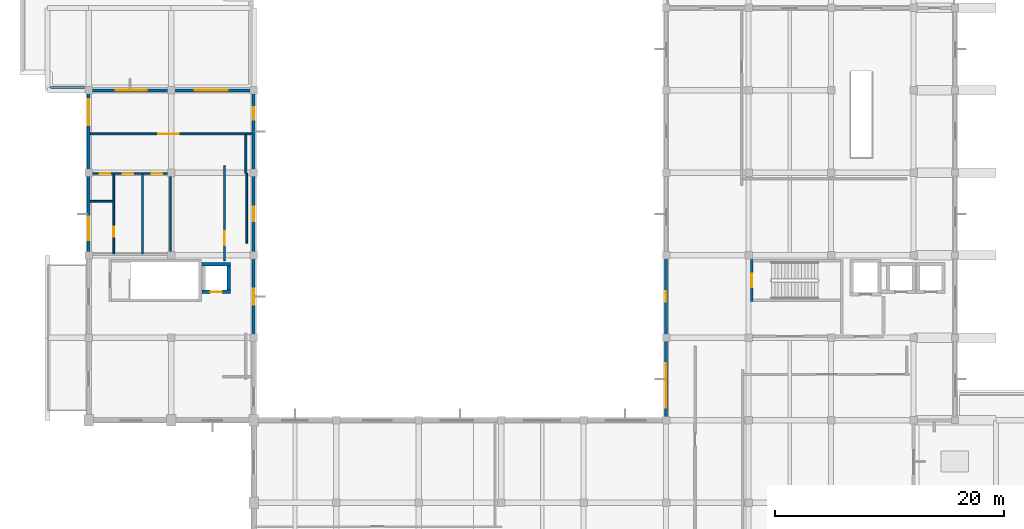
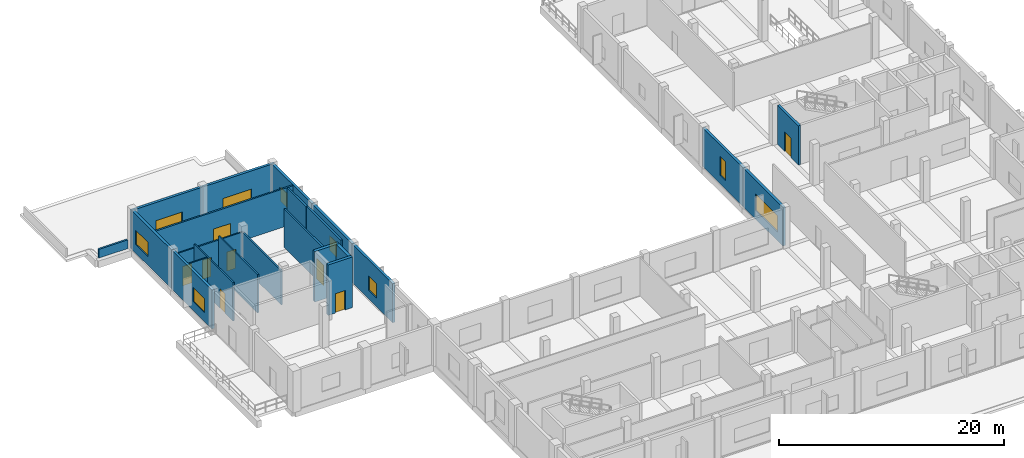
# One storey, part 6 of 16: 23 walls, 9 windows, 8 doors, 17 openings.
"""IFC4 building model written with IfcOpenShell, lengths in metres."""

from ifc_helpers import new_model, si_unit, direction, frame, frame_2d, origin, place, context, subcontext, project, spatial, rectangle, extrude, material, layer, layer_set, type_object, element, fill, save


model = new_model("IFC4")

# Units and contexts
model_context = context("Model", 3, precision=1e-05, world=origin(), true_north=direction((0.0, 1.0)))
body_context = subcontext(model_context, "Body", "Model", "MODEL_VIEW")
ifc_project = project(units=[si_unit("LENGTHUNIT", "METRE"), si_unit("AREAUNIT", "SQUARE_METRE"), si_unit("VOLUMEUNIT", "CUBIC_METRE"), si_unit("PLANEANGLEUNIT", "RADIAN"), si_unit("MASSUNIT", "GRAM", prefix="KILO")], contexts=[model_context])

# Site, building, storey
site_placement = place(None, origin())
site = spatial("IfcSite", under=ifc_project, at=site_placement, CompositionType="ELEMENT")
building_placement = place(site_placement, origin())
building = spatial("IfcBuilding", under=site, at=building_placement, Name="Seraya Terrace Polytechnic", CompositionType="ELEMENT")
storey_placement = place(building_placement, frame((0.0, 0.0, 23.39990234375)))
storey = spatial("IfcBuildingStorey", under=building, at=storey_placement, Name="L05", CompositionType="ELEMENT", Elevation=23.39990234375)

# Wall, opening, window
ifc_material_1 = material(Name="Precast concrete C40/50", Category="concrete")
ifc_layer_1 = layer(ifc_material_1, 0.260009765625, Name="EW-03")
ifc_layer_set_1 = layer_set([ifc_layer_1], Name="Precast concrete C40/50")
wall_type_1 = type_object("IfcWallType", Name="EW-03", PredefinedType="SOLIDWALL", material=ifc_layer_set_1)
wall_1_placement = place(storey_placement, frame((79.199951171875, 28.951904296875, 0.0), z_axis=(0.0, 0.0, 1.0), x_axis=(0.0, 1.0, 0.0)))
wall_1 = element("IfcWall", 1, at=wall_1_placement, inside=storey, type_object=wall_type_1, Name="Exterior structural wall EW-03 L05", PredefinedType="SOLIDWALL", context=body_context, shape_type="SweptSolid", body=[
    extrude(rectangle(XDim=7.048095703125, YDim=0.260009765625, at=frame_2d((3.52392578125, 0.0))), origin(), (0.0, 0.0, 1.0), 4.22021484375),
])
opening_1_placement = place(wall_1_placement, frame((0.958984375, 0.0, 0.949951171875)))
opening_1 = element("IfcOpeningElement", 2, at=opening_1_placement, cuts=wall_1, Name="Opening WN-36", PredefinedType="OPENING", context=body_context, shape_type="SweptSolid", body=[
    extrude(rectangle(XDim=3.85009765625, YDim=1.800048828125, at=frame_2d((1.925048828125, 0.89990234375))), frame((0.0, 0.14208984375, 0.0), z_axis=(0.0, -1.0, 0.0), x_axis=(1.0, 0.0, 0.0)), (0.0, 0.0, 1.0), 0.283935546875),
])
ifc_material_2 = material(Name="Laminated solar-control Low-E double glazing", Category="glass")
window_type_1 = type_object("IfcWindowType", Name="WN-36", PartitioningType="SINGLE_PANEL", PredefinedType="WINDOW", material=ifc_material_2)
window_1_placement = place(opening_1_placement, origin())
window_1 = element("IfcWindow", 3, at=window_1_placement, inside=storey, type_object=window_type_1, Name="Exterior window WN-36 L05", OverallHeight=1.800048828125, OverallWidth=3.85009765625, PartitioningType="SINGLE_PANEL", PredefinedType="WINDOW", context=body_context, shape_type="SweptSolid", body=[
    extrude(rectangle(XDim=3.85009765625, YDim=1.800048828125, at=frame_2d((1.925048828125, 0.89990234375))), frame((0.0, 0.030029296875, 0.0), z_axis=(0.0, -1.0, 0.0), x_axis=(1.0, 0.0, 0.0)), (0.0, 0.0, 1.0), 0.06005859375),
])
fill(opening_1, window_1)

wall_2_placement = place(storey_placement, frame((79.199951171875, 36.0, 0.0), z_axis=(0.0, 0.0, 1.0), x_axis=(0.0, 1.0, 0.0)))
wall_2 = element("IfcWall", 4, at=wall_2_placement, inside=storey, type_object=wall_type_1, Name="Exterior structural wall EW-03 L05", PredefinedType="SOLIDWALL", context=body_context, shape_type="SweptSolid", body=[
    extrude(rectangle(XDim=7.199951171875, YDim=0.260009765625, at=frame_2d((3.60009765625, 0.0))), origin(), (0.0, 0.0, 1.0), 4.22021484375),
])
opening_2_placement = place(wall_2_placement, frame((3.125, 0.0, 0.949951171875)))
opening_2 = element("IfcOpeningElement", 5, at=opening_2_placement, cuts=wall_2, Name="Opening WN-37", PredefinedType="OPENING", context=body_context, shape_type="SweptSolid", body=[
    extrude(rectangle(XDim=0.949951171875, YDim=2.050048828125, at=frame_2d((0.47509765625, 1.02490234375))), frame((0.0, 0.14208984375, 0.0), z_axis=(0.0, -1.0, 0.0), x_axis=(1.0, 0.0, 0.0)), (0.0, 0.0, 1.0), 0.283935546875),
])
window_type_2 = type_object("IfcWindowType", Name="WN-37", PartitioningType="SINGLE_PANEL", PredefinedType="WINDOW", material=ifc_material_2)
window_2_placement = place(opening_2_placement, origin())
window_2 = element("IfcWindow", 6, at=window_2_placement, inside=storey, type_object=window_type_2, Name="Exterior window WN-37 L05", OverallHeight=2.050048828125, OverallWidth=0.949951171875, PartitioningType="SINGLE_PANEL", PredefinedType="WINDOW", context=body_context, shape_type="SweptSolid", body=[
    extrude(rectangle(XDim=0.949951171875, YDim=2.050048828125, at=frame_2d((0.47509765625, 1.02490234375))), frame((0.0, 0.030029296875, 0.0), z_axis=(0.0, -1.0, 0.0), x_axis=(1.0, 0.0, 0.0)), (0.0, 0.0, 1.0), 0.06005859375),
])
fill(opening_2, window_2)

wall_3_placement = place(storey_placement, frame((28.64990234375, 57.60009765625, 0.0), z_axis=(0.0, 0.0, 1.0), x_axis=(1.0, 0.0, 0.0)))
wall_3 = element("IfcWall", 7, at=wall_3_placement, inside=storey, type_object=wall_type_1, Name="Exterior structural wall EW-03 L05", PredefinedType="SOLIDWALL", context=body_context, shape_type="SweptSolid", body=[
    extrude(rectangle(XDim=7.35009765625, YDim=0.260009765625, at=frame_2d((3.675048828125, 0.0))), origin(), (0.0, 0.0, 1.0), 4.22021484375),
])
opening_3_placement = place(wall_3_placement, frame((2.5, 0.0, 0.949951171875)))
opening_3 = element("IfcOpeningElement", 8, at=opening_3_placement, cuts=wall_3, Name="Opening WN-11", PredefinedType="OPENING", context=body_context, shape_type="SweptSolid", body=[
    extrude(rectangle(XDim=2.699951171875, YDim=1.300048828125, at=frame_2d((1.35009765625, 0.64990234375))), frame((0.0, 0.14208984375, 0.0), z_axis=(0.0, -1.0, 0.0), x_axis=(1.0, 0.0, 0.0)), (0.0, 0.0, 1.0), 0.283935546875),
])
window_type_3 = type_object("IfcWindowType", Name="WN-11", PartitioningType="SINGLE_PANEL", PredefinedType="WINDOW", material=ifc_material_2)
window_3_placement = place(opening_3_placement, origin())
window_3 = element("IfcWindow", 9, at=window_3_placement, inside=storey, type_object=window_type_3, Name="Exterior window WN-11 L05", OverallHeight=1.300048828125, OverallWidth=2.699951171875, PartitioningType="SINGLE_PANEL", PredefinedType="WINDOW", context=body_context, shape_type="SweptSolid", body=[
    extrude(rectangle(XDim=2.699951171875, YDim=1.300048828125, at=frame_2d((1.35009765625, 0.64990234375))), frame((0.0, 0.030029296875, 0.0), z_axis=(0.0, -1.0, 0.0), x_axis=(1.0, 0.0, 0.0)), (0.0, 0.0, 1.0), 0.06005859375),
])
fill(opening_3, window_3)

wall_4_placement = place(storey_placement, frame((36.0, 57.60009765625, 0.0), z_axis=(0.0, 0.0, 1.0), x_axis=(1.0, 0.0, 0.0)))
wall_4 = element("IfcWall", 10, at=wall_4_placement, inside=storey, type_object=wall_type_1, Name="Exterior structural wall EW-03 L05", PredefinedType="SOLIDWALL", context=body_context, shape_type="SweptSolid", body=[
    extrude(rectangle(XDim=7.35009765625, YDim=0.260009765625, at=frame_2d((3.675048828125, 0.0))), origin(), (0.0, 0.0, 1.0), 4.22021484375),
])
opening_4_placement = place(wall_4_placement, frame((2.050048828125, 0.0, 0.949951171875)))
opening_4 = element("IfcOpeningElement", 11, at=opening_4_placement, cuts=wall_4, Name="Opening WN-12", PredefinedType="OPENING", context=body_context, shape_type="SweptSolid", body=[
    extrude(rectangle(XDim=2.89990234375, YDim=1.300048828125, at=frame_2d((1.449951171875, 0.64990234375))), frame((0.0, 0.14208984375, 0.0), z_axis=(0.0, -1.0, 0.0), x_axis=(1.0, 0.0, 0.0)), (0.0, 0.0, 1.0), 0.283935546875),
])
window_type_4 = type_object("IfcWindowType", Name="WN-12", PartitioningType="SINGLE_PANEL", PredefinedType="WINDOW", material=ifc_material_2)
window_4_placement = place(opening_4_placement, origin())
window_4 = element("IfcWindow", 12, at=window_4_placement, inside=storey, type_object=window_type_4, Name="Exterior window WN-12 L05", OverallHeight=1.300048828125, OverallWidth=2.89990234375, PartitioningType="SINGLE_PANEL", PredefinedType="WINDOW", context=body_context, shape_type="SweptSolid", body=[
    extrude(rectangle(XDim=2.89990234375, YDim=1.300048828125, at=frame_2d((1.449951171875, 0.64990234375))), frame((0.0, 0.030029296875, 0.0), z_axis=(0.0, -1.0, 0.0), x_axis=(1.0, 0.0, 0.0)), (0.0, 0.0, 1.0), 0.06005859375),
])
fill(opening_4, window_4)

wall_5_placement = place(storey_placement, frame((43.199951171875, 57.447998046875, 0.0), z_axis=(0.0, 0.0, 1.0), x_axis=(0.0, -1.0, 0.0)))
wall_5 = element("IfcWall", 13, at=wall_5_placement, inside=storey, type_object=wall_type_1, Name="Exterior structural wall EW-03 L05", PredefinedType="SOLIDWALL", context=body_context, shape_type="SweptSolid", body=[
    extrude(rectangle(XDim=7.048095703125, YDim=0.260009765625, at=frame_2d((3.52392578125, 0.0))), origin(), (0.0, 0.0, 1.0), 4.22021484375),
])
opening_5_placement = place(wall_5_placement, frame((1.31396484375, 0.0, 0.949951171875)))
opening_5 = element("IfcOpeningElement", 14, at=opening_5_placement, cuts=wall_5, Name="Opening WN-13", PredefinedType="OPENING", context=body_context, shape_type="SweptSolid", body=[
    extrude(rectangle(XDim=1.10009765625, YDim=1.550048828125, at=frame_2d((0.550048828125, 0.77490234375))), frame((0.0, 0.14208984375, 0.0), z_axis=(0.0, -1.0, 0.0), x_axis=(1.0, 0.0, 0.0)), (0.0, 0.0, 1.0), 0.283935546875),
])
window_type_5 = type_object("IfcWindowType", Name="WN-13", PartitioningType="SINGLE_PANEL", PredefinedType="WINDOW", material=ifc_material_2)
window_5_placement = place(opening_5_placement, origin())
window_5 = element("IfcWindow", 15, at=window_5_placement, inside=storey, type_object=window_type_5, Name="Exterior window WN-13 L05", OverallHeight=1.550048828125, OverallWidth=1.10009765625, PartitioningType="SINGLE_PANEL", PredefinedType="WINDOW", context=body_context, shape_type="SweptSolid", body=[
    extrude(rectangle(XDim=1.10009765625, YDim=1.550048828125, at=frame_2d((0.550048828125, 0.77490234375))), frame((0.0, 0.030029296875, 0.0), z_axis=(0.0, -1.0, 0.0), x_axis=(1.0, 0.0, 0.0)), (0.0, 0.0, 1.0), 0.06005859375),
])
fill(opening_5, window_5)

wall_6_placement = place(storey_placement, frame((43.199951171875, 50.39990234375, 0.0), z_axis=(0.0, 0.0, 1.0), x_axis=(0.0, -1.0, 0.0)))
wall_6 = element("IfcWall", 16, at=wall_6_placement, inside=storey, type_object=wall_type_1, Name="Exterior structural wall EW-03 L05", PredefinedType="SOLIDWALL", context=body_context, shape_type="SweptSolid", body=[
    extrude(rectangle(XDim=7.199951171875, YDim=0.260009765625, at=frame_2d((3.60009765625, 0.0))), origin(), (0.0, 0.0, 1.0), 4.22021484375),
])
opening_6_placement = place(wall_6_placement, frame((2.97509765625, 0.0, 0.949951171875)))
opening_6 = element("IfcOpeningElement", 17, at=opening_6_placement, cuts=wall_6, Name="Opening WN-14", PredefinedType="OPENING", context=body_context, shape_type="SweptSolid", body=[
    extrude(rectangle(XDim=1.25, YDim=1.550048828125, at=frame_2d((0.625, 0.77490234375))), frame((0.0, 0.14208984375, 0.0), z_axis=(0.0, -1.0, 0.0), x_axis=(1.0, 0.0, 0.0)), (0.0, 0.0, 1.0), 0.283935546875),
])
window_type_6 = type_object("IfcWindowType", Name="WN-14", PartitioningType="SINGLE_PANEL", PredefinedType="WINDOW", material=ifc_material_2)
window_6_placement = place(opening_6_placement, origin())
window_6 = element("IfcWindow", 18, at=window_6_placement, inside=storey, type_object=window_type_6, Name="Exterior window WN-14 L05", OverallHeight=1.550048828125, OverallWidth=1.25, PartitioningType="SINGLE_PANEL", PredefinedType="WINDOW", context=body_context, shape_type="SweptSolid", body=[
    extrude(rectangle(XDim=1.25, YDim=1.550048828125, at=frame_2d((0.625, 0.77490234375))), frame((0.0, 0.030029296875, 0.0), z_axis=(0.0, -1.0, 0.0), x_axis=(1.0, 0.0, 0.0)), (0.0, 0.0, 1.0), 0.06005859375),
])
fill(opening_6, window_6)

wall_7_placement = place(storey_placement, frame((43.199951171875, 43.199951171875, 0.0), z_axis=(0.0, 0.0, 1.0), x_axis=(0.0, -1.0, 0.0)))
wall_7 = element("IfcWall", 19, at=wall_7_placement, inside=storey, type_object=wall_type_1, Name="Exterior structural wall EW-03 L05", PredefinedType="SOLIDWALL", context=body_context, shape_type="SweptSolid", body=[
    extrude(rectangle(XDim=7.199951171875, YDim=0.260009765625, at=frame_2d((3.60009765625, 0.0))), origin(), (0.0, 0.0, 1.0), 4.22021484375),
])
opening_7_placement = place(wall_7_placement, frame((2.89990234375, 0.0, 0.949951171875)))
opening_7 = element("IfcOpeningElement", 20, at=opening_7_placement, cuts=wall_7, Name="Opening WN-15", PredefinedType="OPENING", context=body_context, shape_type="SweptSolid", body=[
    extrude(rectangle(XDim=1.39990234375, YDim=1.550048828125, at=frame_2d((0.699951171875, 0.77490234375))), frame((0.0, 0.14208984375, 0.0), z_axis=(0.0, -1.0, 0.0), x_axis=(1.0, 0.0, 0.0)), (0.0, 0.0, 1.0), 0.283935546875),
])
window_type_7 = type_object("IfcWindowType", Name="WN-15", PartitioningType="SINGLE_PANEL", PredefinedType="WINDOW", material=ifc_material_2)
window_7_placement = place(opening_7_placement, origin())
window_7 = element("IfcWindow", 21, at=window_7_placement, inside=storey, type_object=window_type_7, Name="Exterior window WN-15 L05", OverallHeight=1.550048828125, OverallWidth=1.39990234375, PartitioningType="SINGLE_PANEL", PredefinedType="WINDOW", context=body_context, shape_type="SweptSolid", body=[
    extrude(rectangle(XDim=1.39990234375, YDim=1.550048828125, at=frame_2d((0.699951171875, 0.77490234375))), frame((0.0, 0.030029296875, 0.0), z_axis=(0.0, -1.0, 0.0), x_axis=(1.0, 0.0, 0.0)), (0.0, 0.0, 1.0), 0.06005859375),
])
fill(opening_7, window_7)

wall_8_placement = place(storey_placement, frame((28.800048828125, 43.199951171875, 0.0), z_axis=(0.0, 0.0, 1.0), x_axis=(0.0, 1.0, 0.0)))
wall_8 = element("IfcWall", 22, at=wall_8_placement, inside=storey, type_object=wall_type_1, Name="Exterior structural wall EW-03 L05", PredefinedType="SOLIDWALL", context=body_context, shape_type="SweptSolid", body=[
    extrude(rectangle(XDim=7.199951171875, YDim=0.260009765625, at=frame_2d((3.60009765625, 0.0))), origin(), (0.0, 0.0, 1.0), 4.22021484375),
])
opening_8_placement = place(wall_8_placement, frame((1.31005859375, 0.0, 0.949951171875)))
opening_8 = element("IfcOpeningElement", 23, at=opening_8_placement, cuts=wall_8, Name="Opening WN-19", PredefinedType="OPENING", context=body_context, shape_type="SweptSolid", body=[
    extrude(rectangle(XDim=2.050048828125, YDim=1.550048828125, at=frame_2d((1.02490234375, 0.77490234375))), frame((0.0, 0.14208984375, 0.0), z_axis=(0.0, -1.0, 0.0), x_axis=(1.0, 0.0, 0.0)), (0.0, 0.0, 1.0), 0.283935546875),
])
window_type_8 = type_object("IfcWindowType", Name="WN-19", PartitioningType="SINGLE_PANEL", PredefinedType="WINDOW", material=ifc_material_2)
window_8_placement = place(opening_8_placement, origin())
window_8 = element("IfcWindow", 24, at=window_8_placement, inside=storey, type_object=window_type_8, Name="Exterior window WN-19 L05", OverallHeight=1.550048828125, OverallWidth=2.050048828125, PartitioningType="SINGLE_PANEL", PredefinedType="WINDOW", context=body_context, shape_type="SweptSolid", body=[
    extrude(rectangle(XDim=2.050048828125, YDim=1.550048828125, at=frame_2d((1.02490234375, 0.77490234375))), frame((0.0, 0.030029296875, 0.0), z_axis=(0.0, -1.0, 0.0), x_axis=(1.0, 0.0, 0.0)), (0.0, 0.0, 1.0), 0.06005859375),
])
fill(opening_8, window_8)

wall_9_placement = place(storey_placement, frame((28.800048828125, 50.39990234375, 0.0), z_axis=(0.0, 0.0, 1.0), x_axis=(0.0, 1.0, 0.0)))
wall_9 = element("IfcWall", 25, at=wall_9_placement, inside=storey, type_object=wall_type_1, Name="Exterior structural wall EW-03 L05", PredefinedType="SOLIDWALL", context=body_context, shape_type="SweptSolid", body=[
    extrude(rectangle(XDim=7.048095703125, YDim=0.260009765625, at=frame_2d((3.52392578125, 0.0))), origin(), (0.0, 0.0, 1.0), 4.22021484375),
])
opening_9_placement = place(wall_9_placement, frame((4.1572265625, 0.0, 0.949951171875)))
opening_9 = element("IfcOpeningElement", 26, at=opening_9_placement, cuts=wall_9, Name="Opening WN-20", PredefinedType="OPENING", context=body_context, shape_type="SweptSolid", body=[
    extrude(rectangle(XDim=2.25, YDim=1.550048828125, at=frame_2d((1.125, 0.77490234375))), frame((0.0, 0.14208984375, 0.0), z_axis=(0.0, -1.0, 0.0), x_axis=(1.0, 0.0, 0.0)), (0.0, 0.0, 1.0), 0.283935546875),
])
window_type_9 = type_object("IfcWindowType", Name="WN-20", PartitioningType="SINGLE_PANEL", PredefinedType="WINDOW", material=ifc_material_2)
window_9_placement = place(opening_9_placement, origin())
window_9 = element("IfcWindow", 27, at=window_9_placement, inside=storey, type_object=window_type_9, Name="Exterior window WN-20 L05", OverallHeight=1.550048828125, OverallWidth=2.25, PartitioningType="SINGLE_PANEL", PredefinedType="WINDOW", context=body_context, shape_type="SweptSolid", body=[
    extrude(rectangle(XDim=2.25, YDim=1.550048828125, at=frame_2d((1.125, 0.77490234375))), frame((0.0, 0.030029296875, 0.0), z_axis=(0.0, -1.0, 0.0), x_axis=(1.0, 0.0, 0.0)), (0.0, 0.0, 1.0), 0.06005859375),
])
fill(opening_9, window_9)

# Wall, opening, door
ifc_material_3 = material(Name="Autoclaved aerated concrete blockwork", Category="masonry")
ifc_layer_2 = layer(ifc_material_3, 0.169921875, Name="PT-02")
ifc_layer_set_2 = layer_set([ifc_layer_2], Name="Autoclaved aerated concrete blockwork")
wall_type_2 = type_object("IfcWallType", Name="PT-02", PredefinedType="PARTITIONING", material=ifc_layer_set_2)
wall_10_placement = place(storey_placement, frame((28.94189453125, 53.800048828125, 0.0), z_axis=(0.0, 0.0, 1.0), x_axis=(1.0, 0.0, 0.0)))
wall_10 = element("IfcWall", 28, at=wall_10_placement, inside=storey, type_object=wall_type_2, Name="Internal partition PT-02 L05", PredefinedType="PARTITIONING", context=body_context, shape_type="SweptSolid", body=[
    extrude(rectangle(XDim=14.1162109375, YDim=0.169921875, at=frame_2d((7.05810546875, 0.0))), origin(), (0.0, 0.0, 1.0), 4.16015625),
])
opening_10_placement = place(wall_10_placement, frame((5.945068359375, 0.0, 0.0)))
opening_10 = element("IfcOpeningElement", 29, at=opening_10_placement, cuts=wall_10, Name="Opening ID-14", PredefinedType="OPENING", context=body_context, shape_type="SweptSolid", body=[
    extrude(rectangle(XDim=1.760009765625, YDim=2.300048828125, at=frame_2d((0.8798828125, 1.14990234375))), frame((0.0, 0.096923828125, 0.0), z_axis=(0.0, -1.0, 0.0), x_axis=(1.0, 0.0, 0.0)), (0.0, 0.0, 1.0), 0.19384765625),
])
ifc_material_4 = material(Name="Malaysian dark red meranti hardwood timber D40", Category="wood")
door_type_1 = type_object("IfcDoorType", Name="ID-14", OperationType="DOUBLE_DOOR_SINGLE_SWING", PredefinedType="DOOR", material=ifc_material_4)
door_1_placement = place(opening_10_placement, frame((1.760009765625, 0.0, 0.0), z_axis=(0.0, 0.0, 1.0), x_axis=(-1.0, 0.0, 0.0)))
door_1 = element("IfcDoor", 30, at=door_1_placement, inside=storey, type_object=door_type_1, Name="Door ID-14 DR-INT-L05-0251 in WL-INT-L05-0731", OperationType="DOUBLE_DOOR_SINGLE_SWING", OverallHeight=2.300048828125, OverallWidth=1.760009765625, PredefinedType="DOOR", context=body_context, shape_type="SweptSolid", body=[
    extrude(rectangle(XDim=1.760009765625, YDim=2.300048828125, at=frame_2d((0.8798828125, 1.14990234375))), frame((0.0, 0.02490234375, 0.0), z_axis=(0.0, -1.0, 0.0), x_axis=(1.0, 0.0, 0.0)), (0.0, 0.0, 1.0), 0.050048828125),
])
fill(opening_10, door_1)

# Walls
wall_11_placement = place(storey_placement, frame((42.52001953125, 50.360107421875, 0.0), z_axis=(0.0, 0.0, 1.0), x_axis=(0.0, 1.0, 0.0)))
element("IfcWall", 31, at=wall_11_placement, inside=storey, type_object=wall_type_2, Name="Internal partition PT-02 L05", PredefinedType="PARTITIONING", context=body_context, shape_type="SweptSolid", body=[
    extrude(rectangle(XDim=3.33984375, YDim=0.169921875, at=frame_2d((1.669921875, 0.0))), origin(), (0.0, 0.0, 1.0), 4.16015625),
])
wall_12_placement = place(storey_placement, frame((42.590087890625, 44.260009765625, 0.0), z_axis=(0.0, 0.0, 1.0), x_axis=(0.0, 1.0, 0.0)))
element("IfcWall", 32, at=wall_12_placement, inside=storey, type_object=wall_type_2, Name="Internal partition PT-02 L05", PredefinedType="PARTITIONING", context=body_context, shape_type="SweptSolid", body=[
    extrude(rectangle(XDim=6.10009765625, YDim=0.169921875, at=frame_2d((3.050048828125, 0.0))), origin(), (0.0, 0.0, 1.0), 4.16015625),
])

# Wall, opening, door
wall_13_placement = place(storey_placement, frame((40.64990234375, 42.72998046875, 0.0), z_axis=(0.0, 0.0, 1.0), x_axis=(0.0, 1.0, 0.0)))
wall_13 = element("IfcWall", 33, at=wall_13_placement, inside=storey, type_object=wall_type_2, Name="Internal partition PT-02 L05", PredefinedType="PARTITIONING", context=body_context, shape_type="SweptSolid", body=[
    extrude(rectangle(XDim=8.281982421875, YDim=0.169921875, at=frame_2d((4.14111328125, 0.0))), origin(), (0.0, 0.0, 1.0), 4.16015625),
])
opening_11_placement = place(wall_13_placement, frame((1.3310546875, 0.0, 0.0)))
opening_11 = element("IfcOpeningElement", 34, at=opening_11_placement, cuts=wall_13, Name="Opening ID-07", PredefinedType="OPENING", context=body_context, shape_type="SweptSolid", body=[
    extrude(rectangle(XDim=1.219970703125, YDim=2.219970703125, at=frame_2d((0.60986328125, 1.10986328125))), frame((0.0, 0.096923828125, 0.0), z_axis=(0.0, -1.0, 0.0), x_axis=(1.0, 0.0, 0.0)), (0.0, 0.0, 1.0), 0.19384765625),
])
door_type_2 = type_object("IfcDoorType", Name="ID-07", OperationType="NOTDEFINED", PredefinedType="DOOR", material=ifc_material_4)
door_2_placement = place(opening_11_placement, origin())
door_2 = element("IfcDoor", 35, at=door_2_placement, inside=storey, type_object=door_type_2, Name="Door ID-07 DR-INT-L05-0260 in WL-INT-L05-0737", OperationType="SINGLE_SWING_LEFT", OverallHeight=2.219970703125, OverallWidth=1.219970703125, PredefinedType="DOOR", context=body_context, shape_type="SweptSolid", body=[
    extrude(rectangle(XDim=1.219970703125, YDim=2.219970703125, at=frame_2d((0.60986328125, 1.10986328125))), frame((0.0, 0.02490234375, 0.0), z_axis=(0.0, -1.0, 0.0), x_axis=(1.0, 0.0, 0.0)), (0.0, 0.0, 1.0), 0.050048828125),
])
fill(opening_11, door_2)

# Wall, openings, doors
ifc_layer_3 = layer(ifc_material_3, 0.139892578125, Name="PT-04")
ifc_layer_set_3 = layer_set([ifc_layer_3], Name="Autoclaved aerated concrete blockwork")
wall_type_3 = type_object("IfcWallType", Name="PT-04", PredefinedType="PARTITIONING", material=ifc_layer_set_3)
wall_14_placement = place(storey_placement, frame((29.0, 50.330078125, 0.0), z_axis=(0.0, 0.0, 1.0), x_axis=(1.0, 0.0, 0.0)))
wall_14 = element("IfcWall", 36, at=wall_14_placement, inside=storey, type_object=wall_type_3, Name="Sanitary WC-B North wall L05", PredefinedType="PARTITIONING", context=body_context, shape_type="SweptSolid", body=[
    extrude(rectangle(XDim=6.929931640625, YDim=0.139892578125, at=frame_2d((3.46484375, 0.0))), origin(), (0.0, 0.0, 1.0), 3.72998046875),
])
opening_12_placement = place(wall_14_placement, frame((0.75, 0.0, 0.0)))
opening_12 = element("IfcOpeningElement", 37, at=opening_12_placement, cuts=wall_14, Name="Opening ID-01", PredefinedType="OPENING", context=body_context, shape_type="SweptSolid", body=[
    extrude(rectangle(XDim=0.93994140625, YDim=2.10009765625, at=frame_2d((0.469970703125, 1.050048828125))), frame((0.0, 0.08203125, 0.0), z_axis=(0.0, -1.0, 0.0), x_axis=(1.0, 0.0, 0.0)), (0.0, 0.0, 1.0), 0.163818359375),
])
opening_13_placement = place(wall_14_placement, frame((2.784912109375, 0.0, 0.0)))
opening_13 = element("IfcOpeningElement", 38, at=opening_13_placement, cuts=wall_14, Name="Opening ID-02", PredefinedType="OPENING", context=body_context, shape_type="SweptSolid", body=[
    extrude(rectangle(XDim=0.89990234375, YDim=2.080078125, at=frame_2d((0.449951171875, 1.0400390625))), frame((0.0, 0.08203125, 0.0), z_axis=(0.0, -1.0, 0.0), x_axis=(1.0, 0.0, 0.0)), (0.0, 0.0, 1.0), 0.163818359375),
])
opening_14_placement = place(wall_14_placement, frame((5.294921875, 0.0, 0.0)))
opening_14 = element("IfcOpeningElement", 39, at=opening_14_placement, cuts=wall_14, Name="Opening ID-02", PredefinedType="OPENING", context=body_context, shape_type="SweptSolid", body=[
    extrude(rectangle(XDim=0.89990234375, YDim=2.080078125, at=frame_2d((0.449951171875, 1.0400390625))), frame((0.0, 0.08203125, 0.0), z_axis=(0.0, -1.0, 0.0), x_axis=(1.0, 0.0, 0.0)), (0.0, 0.0, 1.0), 0.163818359375),
])
door_type_3 = type_object("IfcDoorType", Name="ID-01", OperationType="NOTDEFINED", PredefinedType="DOOR", material=ifc_material_4)
door_3_placement = place(opening_12_placement, origin())
door_3 = element("IfcDoor", 40, at=door_3_placement, inside=storey, type_object=door_type_3, Name="Door ID-01 DR-WC-WC-B-L05-OKU in WL-WC-WC-B-L05-N", OperationType="SINGLE_SWING_LEFT", OverallHeight=2.10009765625, OverallWidth=0.93994140625, PredefinedType="DOOR", context=body_context, shape_type="SweptSolid", body=[
    extrude(rectangle(XDim=0.93994140625, YDim=2.10009765625, at=frame_2d((0.469970703125, 1.050048828125))), frame((0.0, 0.02490234375, 0.0), z_axis=(0.0, -1.0, 0.0), x_axis=(1.0, 0.0, 0.0)), (0.0, 0.0, 1.0), 0.050048828125),
])
fill(opening_12, door_3)
door_type_4 = type_object("IfcDoorType", Name="ID-02", OperationType="NOTDEFINED", PredefinedType="DOOR", material=ifc_material_4)
door_4_placement = place(opening_13_placement, frame((0.89990234375, 0.0, 0.0), z_axis=(0.0, 0.0, 1.0), x_axis=(-1.0, 0.0, 0.0)))
door_4 = element("IfcDoor", 41, at=door_4_placement, inside=storey, type_object=door_type_4, Name="Door ID-02 DR-WC-WC-B-L05-M in WL-WC-WC-B-L05-N", OperationType="SINGLE_SWING_RIGHT", OverallHeight=2.080078125, OverallWidth=0.89990234375, PredefinedType="DOOR", context=body_context, shape_type="SweptSolid", body=[
    extrude(rectangle(XDim=0.89990234375, YDim=2.080078125, at=frame_2d((0.449951171875, 1.0400390625))), frame((0.0, 0.02490234375, 0.0), z_axis=(0.0, -1.0, 0.0), x_axis=(1.0, 0.0, 0.0)), (0.0, 0.0, 1.0), 0.050048828125),
])
fill(opening_13, door_4)
door_5_placement = place(opening_14_placement, frame((0.89990234375, 0.0, 0.0), z_axis=(0.0, 0.0, 1.0), x_axis=(-1.0, 0.0, 0.0)))
door_5 = element("IfcDoor", 42, at=door_5_placement, inside=storey, type_object=door_type_4, Name="Door ID-02 DR-WC-WC-B-L05-F in WL-WC-WC-B-L05-N", OperationType="SINGLE_SWING_LEFT", OverallHeight=2.080078125, OverallWidth=0.89990234375, PredefinedType="DOOR", context=body_context, shape_type="SweptSolid", body=[
    extrude(rectangle(XDim=0.89990234375, YDim=2.080078125, at=frame_2d((0.449951171875, 1.0400390625))), frame((0.0, 0.02490234375, 0.0), z_axis=(0.0, -1.0, 0.0), x_axis=(1.0, 0.0, 0.0)), (0.0, 0.0, 1.0), 0.050048828125),
])
fill(opening_14, door_5)

# Wall
wall_15_placement = place(storey_placement, frame((35.929931640625, 43.35009765625, 0.0), z_axis=(0.0, 0.0, 1.0), x_axis=(0.0, 1.0, 0.0)))
element("IfcWall", 43, at=wall_15_placement, inside=storey, type_object=wall_type_3, Name="Sanitary WC-B East wall L05", PredefinedType="PARTITIONING", context=body_context, shape_type="SweptSolid", body=[
    extrude(rectangle(XDim=6.89990234375, YDim=0.139892578125, at=frame_2d((3.449951171875, 0.0))), origin(), (0.0, 0.0, 1.0), 3.72998046875),
])

# Wall, opening, door
wall_16_placement = place(storey_placement, frame((30.97998046875, 43.35009765625, 0.0), z_axis=(0.0, 0.0, 1.0), x_axis=(0.0, 1.0, 0.0)))
wall_16 = element("IfcWall", 44, at=wall_16_placement, inside=storey, type_object=wall_type_3, Name="Sanitary WC-B OKU/Male divider L05", PredefinedType="PARTITIONING", context=body_context, shape_type="SweptSolid", body=[
    extrude(rectangle(XDim=6.89990234375, YDim=0.139892578125, at=frame_2d((3.449951171875, 0.0))), origin(), (0.0, 0.0, 1.0), 4.16015625),
])
opening_15_placement = place(wall_16_placement, frame((1.449951171875, 0.0, 0.0)))
opening_15 = element("IfcOpeningElement", 45, at=opening_15_placement, cuts=wall_16, Name="Opening ID-02", PredefinedType="OPENING", context=body_context, shape_type="SweptSolid", body=[
    extrude(rectangle(XDim=0.89990234375, YDim=2.080078125, at=frame_2d((0.449951171875, 1.0400390625))), frame((0.0, 0.08203125, 0.0), z_axis=(0.0, -1.0, 0.0), x_axis=(1.0, 0.0, 0.0)), (0.0, 0.0, 1.0), 0.163818359375),
])
door_6_placement = place(opening_15_placement, origin())
door_6 = element("IfcDoor", 46, at=door_6_placement, inside=storey, type_object=door_type_4, Name="Door ID-02 DR-WC-WC-B-L05-CLN in WL-WC-WC-B-L05-D1", OperationType="SINGLE_SWING_RIGHT", OverallHeight=2.080078125, OverallWidth=0.89990234375, PredefinedType="DOOR", context=body_context, shape_type="SweptSolid", body=[
    extrude(rectangle(XDim=0.89990234375, YDim=2.080078125, at=frame_2d((0.449951171875, 1.0400390625))), frame((0.0, 0.02490234375, 0.0), z_axis=(0.0, -1.0, 0.0), x_axis=(1.0, 0.0, 0.0)), (0.0, 0.0, 1.0), 0.050048828125),
])
fill(opening_15, door_6)

# Walls
wall_17_placement = place(storey_placement, frame((33.489990234375, 43.35009765625, 0.0), z_axis=(0.0, 0.0, 1.0), x_axis=(0.0, 1.0, 0.0)))
element("IfcWall", 47, at=wall_17_placement, inside=storey, type_object=wall_type_3, Name="Sanitary WC-B Male/Female divider L05", PredefinedType="PARTITIONING", context=body_context, shape_type="SweptSolid", body=[
    extrude(rectangle(XDim=6.89990234375, YDim=0.139892578125, at=frame_2d((3.449951171875, 0.0))), origin(), (0.0, 0.0, 1.0), 4.16015625),
])
wall_18_placement = place(storey_placement, frame((28.949951171875, 47.919921875, 0.0), z_axis=(0.0, 0.0, 1.0), x_axis=(1.0, 0.0, 0.0)))
element("IfcWall", 48, at=wall_18_placement, inside=storey, type_object=wall_type_3, Name="Sanitary WC-B OKU/Cleaner divider L05", PredefinedType="PARTITIONING", context=body_context, shape_type="SweptSolid", body=[
    extrude(rectangle(XDim=1.949951171875, YDim=0.139892578125, at=frame_2d((0.97509765625, 0.0))), origin(), (0.0, 0.0, 1.0), 4.16015625),
])
ifc_layer_4 = layer(ifc_material_1, 0.179931640625, Name="PW-P2")
ifc_layer_set_4 = layer_set([ifc_layer_4], Name="Precast concrete C40/50")
wall_type_4 = type_object("IfcWallType", Name="PW-P2", PredefinedType="PARAPET", material=ifc_layer_set_4)
wall_19_placement = place(storey_placement, frame((28.42578125, 57.85009765625, 0.0), z_axis=(0.0, 0.0, 1.0), x_axis=(-1.0, 0.0, 0.0)))
element("IfcWall", 49, at=wall_19_placement, inside=storey, type_object=wall_type_4, Name="Roof parapet ROOF-L05-WEST 14.1", PredefinedType="PARAPET", context=body_context, shape_type="SweptSolid", body=[
    extrude(rectangle(XDim=2.975830078125, YDim=0.179931640625, at=frame_2d((1.48779296875, 0.0))), origin(), (0.0, 0.0, 1.0), 0.9501953125),
])

# Wall, opening, door
ifc_material_5 = material(Name="Concrete C40/50", Category="concrete")
ifc_layer_5 = layer(ifc_material_5, 0.300048828125, Name="SW-01")
ifc_layer_set_5 = layer_set([ifc_layer_5], Name="Concrete C40/50")
wall_type_5 = type_object("IfcWallType", Name="SW-01", PredefinedType="SHEAR", material=ifc_layer_set_5)
wall_20_placement = place(storey_placement, frame((38.669921875, 40.0, 0.0), z_axis=(0.0, 0.0, 1.0), x_axis=(1.0, 0.0, 0.0)))
wall_20 = element("IfcWall", 50, at=wall_20_placement, inside=storey, type_object=wall_type_5, Name="Lift shaft PL-05 South wall L05", PredefinedType="SHEAR", context=body_context, shape_type="SweptSolid", body=[
    extrude(rectangle(XDim=2.5, YDim=0.300048828125, at=frame_2d((1.25, 0.0))), origin(), (0.0, 0.0, 1.0), 5.489990234375),
])
opening_16_placement = place(wall_20_placement, frame((0.75, 0.0, 0.0)))
opening_16 = element("IfcOpeningElement", 51, at=opening_16_placement, cuts=wall_20, Name="Opening LD-01", PredefinedType="OPENING", context=body_context, shape_type="SweptSolid", body=[
    extrude(rectangle(XDim=1.0, YDim=2.10009765625, at=frame_2d((0.5, 1.050048828125))), frame((0.0, 0.162109375, 0.0), z_axis=(0.0, -1.0, 0.0), x_axis=(1.0, 0.0, 0.0)), (0.0, 0.0, 1.0), 0.323974609375),
])
ifc_material_6 = material(Name="Steel S355J2", Category="steel")
door_type_5 = type_object("IfcDoorType", Name="LD-01", OperationType="SLIDING_TO_LEFT", PredefinedType="DOOR", material=ifc_material_6)
door_7_placement = place(opening_16_placement, frame((1.0, 0.0, 0.0), z_axis=(0.0, 0.0, 1.0), x_axis=(-1.0, 0.0, 0.0)))
door_7 = element("IfcDoor", 52, at=door_7_placement, inside=storey, type_object=door_type_5, Name="Door LD-01 LD-PL-05-L05 in WL-SHF-PL-05-L05-S", OperationType="SLIDING_TO_LEFT", OverallHeight=2.10009765625, OverallWidth=1.0, PredefinedType="DOOR", context=body_context, shape_type="SweptSolid", body=[
    extrude(rectangle(XDim=1.0, YDim=2.10009765625, at=frame_2d((0.5, 1.050048828125))), frame((0.0, 0.02490234375, 0.0), z_axis=(0.0, -1.0, 0.0), x_axis=(1.0, 0.0, 0.0)), (0.0, 0.0, 1.0), 0.050048828125),
])
fill(opening_16, door_7)

# Walls
wall_21_placement = place(storey_placement, frame((38.669921875, 42.39990234375, 0.0), z_axis=(0.0, 0.0, 1.0), x_axis=(1.0, 0.0, 0.0)))
element("IfcWall", 53, at=wall_21_placement, inside=storey, type_object=wall_type_5, Name="Lift shaft PL-05 North wall L05", PredefinedType="SHEAR", context=body_context, shape_type="SweptSolid", body=[
    extrude(rectangle(XDim=2.5, YDim=0.300048828125, at=frame_2d((1.25, 0.0))), origin(), (0.0, 0.0, 1.0), 5.489990234375),
])
wall_22_placement = place(storey_placement, frame((41.02001953125, 40.14990234375, 0.0), z_axis=(0.0, 0.0, 1.0), x_axis=(0.0, 1.0, 0.0)))
element("IfcWall", 54, at=wall_22_placement, inside=storey, type_object=wall_type_5, Name="Lift shaft PL-05 East wall L05", PredefinedType="SHEAR", context=body_context, shape_type="SweptSolid", body=[
    extrude(rectangle(XDim=2.10009765625, YDim=0.300048828125, at=frame_2d((1.050048828125, 0.0))), origin(), (0.0, 0.0, 1.0), 5.489990234375),
])

# Wall, opening, door
ifc_layer_6 = layer(ifc_material_5, 0.25, Name="SW-02")
ifc_layer_set_6 = layer_set([ifc_layer_6], Name="Concrete C40/50")
wall_type_6 = type_object("IfcWallType", Name="SW-02", PredefinedType="SHEAR", material=ifc_layer_set_6)
wall_23_placement = place(storey_placement, frame((86.675048828125, 39.14990234375, 0.0), z_axis=(0.0, 0.0, 1.0), x_axis=(0.0, 1.0, 0.0)))
wall_23 = element("IfcWall", 55, at=wall_23_placement, inside=storey, type_object=wall_type_6, Name="Stairwell ST-02 West wall L05", PredefinedType="SHEAR", context=body_context, shape_type="SweptSolid", body=[
    extrude(rectangle(XDim=3.7001953125, YDim=0.25, at=frame_2d((1.85009765625, 0.0))), origin(), (0.0, 0.0, 1.0), 4.25),
])
opening_17_placement = place(wall_23_placement, frame((1.25, 0.0, 0.0)))
opening_17 = element("IfcOpeningElement", 56, at=opening_17_placement, cuts=wall_23, Name="Opening FD-01", PredefinedType="OPENING", context=body_context, shape_type="SweptSolid", body=[
    extrude(rectangle(XDim=1.199951171875, YDim=2.14990234375, at=frame_2d((0.60009765625, 1.074951171875))), frame((0.0, 0.136962890625, 0.0), z_axis=(0.0, -1.0, 0.0), x_axis=(1.0, 0.0, 0.0)), (0.0, 0.0, 1.0), 0.27392578125),
])
door_type_6 = type_object("IfcDoorType", Name="FD-01", OperationType="NOTDEFINED", PredefinedType="DOOR", material=ifc_material_6)
door_8_placement = place(opening_17_placement, frame((1.199951171875, 0.0, 0.0), z_axis=(0.0, 0.0, 1.0), x_axis=(-1.0, 0.0, 0.0)))
door_8 = element("IfcDoor", 57, at=door_8_placement, inside=storey, type_object=door_type_6, Name="Door FD-01 DR-STR-ST-02-L05 in WL-STR-ST-02-L05-W", OperationType="SINGLE_SWING_RIGHT", OverallHeight=2.14990234375, OverallWidth=1.199951171875, PredefinedType="DOOR", context=body_context, shape_type="SweptSolid", body=[
    extrude(rectangle(XDim=1.199951171875, YDim=2.14990234375, at=frame_2d((0.60009765625, 1.074951171875))), frame((0.0, 0.02490234375, 0.0), z_axis=(0.0, -1.0, 0.0), x_axis=(1.0, 0.0, 0.0)), (0.0, 0.0, 1.0), 0.050048828125),
])
fill(opening_17, door_8)

save(model, "model.ifc")
